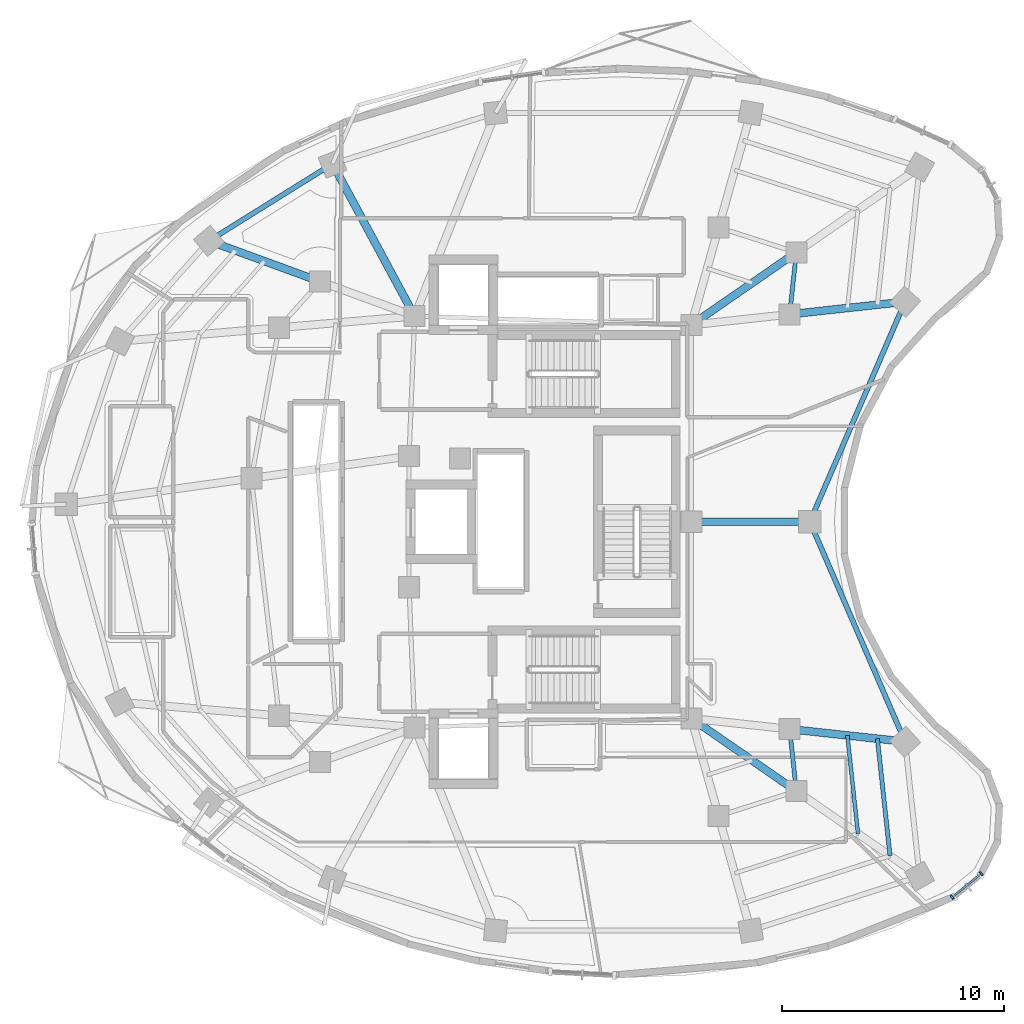
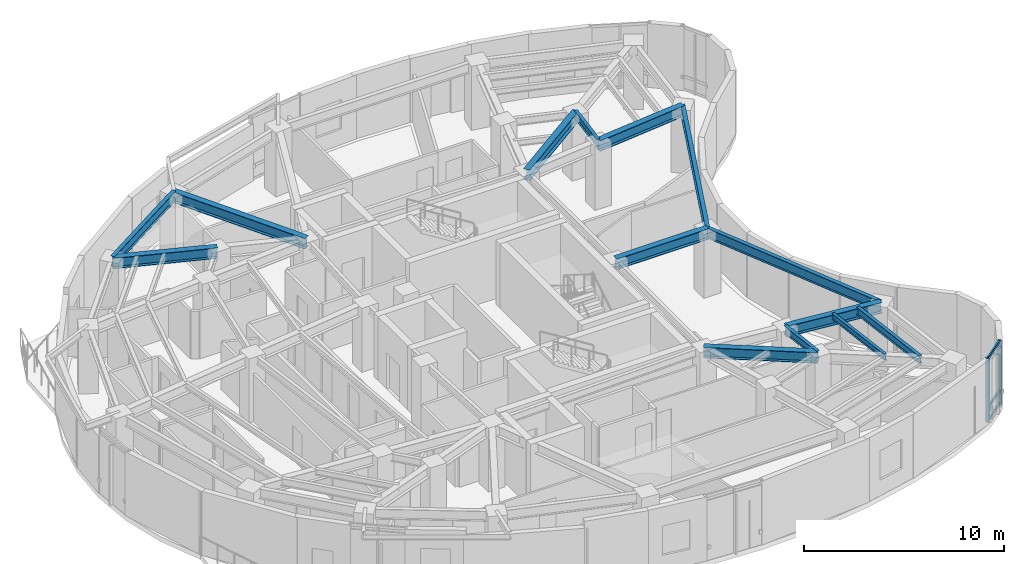
# One storey, part 4 of 13: 14 beams, 5 members, 1 element without a shape of its own.
"""IFC4 building model written with IfcOpenShell, lengths in metres."""

from ifc_helpers import new_model, si_unit, direction, frame, origin, origin_2d, place, context, subcontext, project, spatial, rectangle, i_section, extrude, material, layer, layer_set, material_profile, profile_set, type_object, element, aggregate, save


model = new_model("IFC4")

# Units and contexts
model_context = context("Model", 3, precision=1e-05, world=origin(), true_north=direction((0.0, 1.0)))
body_context = subcontext(model_context, "Body", "Model", "MODEL_VIEW")
ifc_project = project(units=[si_unit("LENGTHUNIT", "METRE"), si_unit("AREAUNIT", "SQUARE_METRE"), si_unit("VOLUMEUNIT", "CUBIC_METRE"), si_unit("PLANEANGLEUNIT", "RADIAN"), si_unit("MASSUNIT", "GRAM", prefix="KILO")], contexts=[model_context])

# Site, building, storey
site_placement = place(None, origin())
site = spatial("IfcSite", under=ifc_project, at=site_placement, CompositionType="ELEMENT")
building_placement = place(site_placement, origin())
building = spatial("IfcBuilding", under=site, at=building_placement, Name="Korentha Bioscience Tower", CompositionType="ELEMENT")
storey_placement = place(building_placement, frame((0.0, 0.0, 183.60009765625)))
storey = spatial("IfcBuildingStorey", under=building, at=storey_placement, Name="L42", CompositionType="ELEMENT", Elevation=183.60009765625)

# Beams
ifc_material_1 = material(Name="Steel S355", Category="steel")
ifc_material_profile_1 = material_profile(ifc_material_1, i_section(OverallWidth=0.18994140625, OverallDepth=0.45703125, WebThickness=0.009033203125, FlangeThickness=0.014404296875, at=origin_2d()), Name="Steel S355")
ifc_profile_set_1 = profile_set([ifc_material_profile_1], Name="Steel S355 (MB-460)")
beam_type_1 = type_object("IfcBeamType", Name="Mid-Ring Tie Girder W460x74", PredefinedType="BEAM", material=ifc_profile_set_1)
for number, where, z_axis, x_axis, name in (
    (1, (42.274658203125, 14.8828125, 3.67138671875), (-0.107283940056, 0.99422842255, 0.0), (-0.99422842255, -0.107283940056, 0.0), "L42 Mid-Ring Tie Girder 13"),
    (2, (41.97412109375, 36.33203125, 3.67138671875), (0.107283940056, 0.99422842255, 0.0), (-0.99422842255, 0.107283940056, 0.0), "L42 Mid-Ring Tie Girder 16"),
):
    element("IfcBeam", number, at=place(storey_placement, frame(where, z_axis=z_axis, x_axis=x_axis)), inside=storey, type_object=beam_type_1, Name=name, PredefinedType="BEAM", context=body_context, shape_type="SweptSolid", body=[
        extrude(i_section(OverallWidth=0.18994140625, OverallDepth=0.45703125, WebThickness=0.009033203125, FlangeThickness=0.014404296875, at=origin_2d()), origin(), (0.0, 0.0, 1.0), 2.80126953125),
    ])

# Curtain wall, members
ifc_material_2 = material(Name="Thermally Broken Aluminium Frame", Category="aluminium")
ifc_layer = layer(ifc_material_2, 0.219970703125, Name="Thermally Broken Aluminium Frame")
ifc_layer_set = layer_set([ifc_layer], Name="Thermally Broken Aluminium Frame (CW-T2)")
curtain_wall_type = type_object("IfcCurtainWallType", Name="Solar-Screened Lab Unitised Curtain Wall CW-T2", PredefinedType="USERDEFINED", material=ifc_layer_set)
curtain_wall_placement = place(storey_placement, origin())
curtain_wall = element("IfcCurtainWall", 3, at=curtain_wall_placement, inside=storey, type_object=curtain_wall_type, Name="L42 Curtain Wall 37", ObjectType="UNITISED", PredefinedType="USERDEFINED")
ifc_material_3 = material(Name="Anodised Aluminium 6063-T6", Category="aluminium")
ifc_material_profile_2 = material_profile(ifc_material_3, rectangle(XDim=0.090087890625, YDim=0.199951171875, at=origin_2d()), Name="Anodised Aluminium 6063-T6")
ifc_profile_set_2 = profile_set([ifc_material_profile_2], Name="Anodised Aluminium 6063-T6 (CW-MUL)")
member_type_1 = type_object("IfcMemberType", Name="Mullion RECT 90x200", PredefinedType="MULLION", material=ifc_profile_set_2)
member_1_placement = place(storey_placement, frame((49.28759765625, 10.105224609375, 0.0), z_axis=(0.0, 0.0, 1.0), x_axis=(0.77425646139, 0.632871971251, 0.0)))
member_1 = element("IfcMember", 4, at=member_1_placement, type_object=member_type_1, Name="CW-L42-37 Mullion 1", PredefinedType="MULLION", context=body_context, shape_type="SweptSolid", body=[
    extrude(rectangle(XDim=0.090087890625, YDim=0.199951171875, at=origin_2d()), origin(), (0.0, 0.0, 1.0), 3.89990234375),
])
member_2_placement = place(storey_placement, frame((50.58984375, 11.169677734375, 0.0), z_axis=(0.0, 0.0, 1.0), x_axis=(0.77425646139, 0.632871971251, 0.0)))
member_2 = element("IfcMember", 5, at=member_2_placement, type_object=member_type_1, Name="CW-L42-37 Mullion 2", PredefinedType="MULLION", context=body_context, shape_type="SweptSolid", body=[
    extrude(rectangle(XDim=0.090087890625, YDim=0.199951171875, at=origin_2d()), origin(), (0.0, 0.0, 1.0), 3.89990234375),
])

# Beams
ifc_material_profile_3 = material_profile(ifc_material_1, i_section(OverallWidth=0.22802734375, OverallDepth=0.60791015625, WebThickness=0.01123046875, FlangeThickness=0.017333984375, at=origin_2d()), Name="Steel S355")
ifc_profile_set_3 = profile_set([ifc_material_profile_3], Name="Steel S355 (SB-610)")
beam_type_2 = type_object("IfcBeamType", Name="Perimeter Ring Spandrel Girder W610x113", PredefinedType="SPANDREL", material=ifc_profile_set_3)
beam_1_placement = place(storey_placement, frame((21.405517578125, 43.102783203125, 3.595947265625), z_axis=(-0.848675740059, -0.528913497876, 0.0), x_axis=(0.528913497876, -0.848675740059, 0.0)))
element("IfcBeam", 6, at=beam_1_placement, inside=storey, type_object=beam_type_2, Name="L42 Perimeter Spandrel Girder 04", PredefinedType="SPANDREL", context=body_context, shape_type="SweptSolid", body=[
    extrude(i_section(OverallWidth=0.22802734375, OverallDepth=0.60791015625, WebThickness=0.01123046875, FlangeThickness=0.017333984375, at=origin_2d()), origin(), (0.0, 0.0, 1.0), 6.55322265625),
])
for number, where, z_axis, x_axis, name in (
    (7, (47.16748046875, 17.10205078125, 3.595947265625), (-0.397336815315, 0.917672847585, 0.0), (-0.917672847585, -0.397336815315, 0.0), "L42 Perimeter Spandrel Girder 14"),
    (8, (42.8818359375, 27.0, 3.595947265625), (0.397336815315, 0.917672847585, 0.0), (-0.917672847585, 0.397336815315, 0.0), "L42 Perimeter Spandrel Girder 15"),
):
    element("IfcBeam", number, at=place(storey_placement, frame(where, z_axis=z_axis, x_axis=x_axis)), inside=storey, type_object=beam_type_2, Name=name, PredefinedType="SPANDREL", context=body_context, shape_type="SweptSolid", body=[
        extrude(i_section(OverallWidth=0.22802734375, OverallDepth=0.60791015625, WebThickness=0.01123046875, FlangeThickness=0.017333984375, at=origin_2d()), origin(), (0.0, 0.0, 1.0), 10.785888671875),
    ])
ifc_material_profile_4 = material_profile(ifc_material_1, i_section(OverallWidth=0.18994140625, OverallDepth=0.45703125, WebThickness=0.009033203125, FlangeThickness=0.014404296875, at=origin_2d()), Name="Steel S355")
ifc_profile_set_4 = profile_set([ifc_material_profile_4], Name="Steel S355 (RB-460)")
beam_type_3 = type_object("IfcBeamType", Name="Radial Laboratory Beam W460x74", PredefinedType="BEAM", material=ifc_profile_set_4)
beam_2_placement = place(storey_placement, frame((46.489990234375, 11.968017578125, 3.67138671875), z_axis=(-0.107321875607, 0.994224328316, 0.0), x_axis=(-0.994224328316, -0.107321875607, 0.0)))
element("IfcBeam", 9, at=beam_2_placement, inside=storey, type_object=beam_type_3, Name="L42 Secondary Floor Beam JSTO-13", PredefinedType="BEAM", context=body_context, shape_type="SweptSolid", body=[
    extrude(i_section(OverallWidth=0.18994140625, OverallDepth=0.45703125, WebThickness=0.009033203125, FlangeThickness=0.014404296875, at=origin_2d()), origin(), (0.0, 0.0, 1.0), 5.30029296875),
])
ifc_material_profile_5 = material_profile(ifc_material_1, i_section(OverallWidth=0.35009765625, OverallDepth=0.64990234375, WebThickness=0.01611328125, FlangeThickness=0.02490234375, at=origin_2d()), Name="Steel S355")
ifc_profile_set_5 = profile_set([ifc_material_profile_5], Name="Steel S355 (RB-650)")
beam_type_4 = type_object("IfcBeamType", Name="Radial Laboratory Girder CVS 650x208", PredefinedType="BEAM", material=ifc_profile_set_5)
beam_3_placement = place(storey_placement, frame((37.550048828125, 35.85009765625, 3.574951171875), z_axis=(0.822501145898, 0.568763452584, 0.0), x_axis=(-0.568763452584, 0.822501145898, 0.0)))
element("IfcBeam", 10, at=beam_3_placement, inside=storey, type_object=beam_type_4, Name="L42 Inner Radial Girder 01", PredefinedType="BEAM", context=body_context, shape_type="SweptSolid", body=[
    extrude(i_section(OverallWidth=0.35009765625, OverallDepth=0.64990234375, WebThickness=0.01611328125, FlangeThickness=0.02490234375, at=origin_2d()), origin(), (0.0, 0.0, 1.0), 5.744140625),
])
beam_4_placement = place(storey_placement, frame((25.10009765625, 36.25, 3.574951171875), z_axis=(-0.474559790141, 0.880223270302, 0.0), x_axis=(-0.880223270302, -0.474559790141, 0.0)))
element("IfcBeam", 11, at=beam_4_placement, inside=storey, type_object=beam_type_4, Name="L42 Radial Girder 04", PredefinedType="BEAM", context=body_context, shape_type="SweptSolid", body=[
    extrude(i_section(OverallWidth=0.35009765625, OverallDepth=0.64990234375, WebThickness=0.01611328125, FlangeThickness=0.02490234375, at=origin_2d()), origin(), (0.0, 0.0, 1.0), 7.785400390625),
])
beam_5_placement = place(storey_placement, frame((20.84228515625, 37.807861328125, 3.574951171875), z_axis=(-0.939109855566, 0.343617053097, 0.0), x_axis=(-0.343617053097, -0.939109855566, 0.0)))
element("IfcBeam", 12, at=beam_5_placement, inside=storey, type_object=beam_type_4, Name="L42 Outer Radial Girder 05", PredefinedType="BEAM", context=body_context, shape_type="SweptSolid", body=[
    extrude(i_section(OverallWidth=0.35009765625, OverallDepth=0.64990234375, WebThickness=0.01611328125, FlangeThickness=0.02490234375, at=origin_2d()), origin(), (0.0, 0.0, 1.0), 5.322265625),
])
beam_6_placement = place(storey_placement, frame((37.550048828125, 18.14990234375, 3.574951171875), z_axis=(0.822501145898, -0.568763452584, 0.0), x_axis=(0.568763452584, 0.822501145898, 0.0)))
element("IfcBeam", 13, at=beam_6_placement, inside=storey, type_object=beam_type_4, Name="L42 Inner Radial Girder 13", PredefinedType="BEAM", context=body_context, shape_type="SweptSolid", body=[
    extrude(i_section(OverallWidth=0.35009765625, OverallDepth=0.64990234375, WebThickness=0.01611328125, FlangeThickness=0.02490234375, at=origin_2d()), origin(), (0.0, 0.0, 1.0), 5.744140625),
])
beam_7_placement = place(storey_placement, frame((41.97412109375, 17.66796875, 3.574951171875), z_axis=(0.994115177281, -0.108328271011, 0.0), x_axis=(0.108328271011, 0.994115177281, 0.0)))
element("IfcBeam", 14, at=beam_7_placement, inside=storey, type_object=beam_type_4, Name="L42 Outer Radial Girder 14", PredefinedType="BEAM", context=body_context, shape_type="SweptSolid", body=[
    extrude(i_section(OverallWidth=0.35009765625, OverallDepth=0.64990234375, WebThickness=0.01611328125, FlangeThickness=0.02490234375, at=origin_2d()), origin(), (0.0, 0.0, 1.0), 5.22412109375),
])
beam_8_placement = place(storey_placement, frame((37.550048828125, 27.0, 3.574951171875), z_axis=(1.0, 0.0, 0.0), x_axis=(0.0, 1.0, 0.0)))
element("IfcBeam", 15, at=beam_8_placement, inside=storey, type_object=beam_type_4, Name="L42 Radial Girder 15", PredefinedType="BEAM", context=body_context, shape_type="SweptSolid", body=[
    extrude(i_section(OverallWidth=0.35009765625, OverallDepth=0.64990234375, WebThickness=0.01611328125, FlangeThickness=0.02490234375, at=origin_2d()), origin(), (0.0, 0.0, 1.0), 5.331787109375),
])
beam_9_placement = place(storey_placement, frame((41.97412109375, 36.33203125, 3.574951171875), z_axis=(0.994115177281, 0.108328271011, 0.0), x_axis=(-0.108328271011, 0.994115177281, 0.0)))
element("IfcBeam", 16, at=beam_9_placement, inside=storey, type_object=beam_type_4, Name="L42 Outer Radial Girder 16", PredefinedType="BEAM", context=body_context, shape_type="SweptSolid", body=[
    extrude(i_section(OverallWidth=0.35009765625, OverallDepth=0.64990234375, WebThickness=0.01611328125, FlangeThickness=0.02490234375, at=origin_2d()), origin(), (0.0, 0.0, 1.0), 5.22412109375),
])
ifc_material_profile_6 = material_profile(ifc_material_1, i_section(OverallWidth=0.1708984375, OverallDepth=0.35498046875, WebThickness=0.007080078125, FlangeThickness=0.01171875, at=origin_2d()), Name="Steel S355")
ifc_profile_set_6 = profile_set([ifc_material_profile_6], Name="Steel S355 (JB-360)")
beam_type_5 = type_object("IfcBeamType", Name="Secondary Laboratory Joist W360x51", PredefinedType="JOIST", material=ifc_profile_set_6)
beam_10_placement = place(storey_placement, frame((45.0478515625, 12.965087890625, 3.722412109375), z_axis=(-0.107308722475, 0.994225748048, 0.0), x_axis=(-0.994225748048, -0.107308722475, 0.0)))
element("IfcBeam", 17, at=beam_10_placement, inside=storey, type_object=beam_type_5, Name="L42 Secondary Floor Beam JST-13", PredefinedType="JOIST", context=body_context, shape_type="SweptSolid", body=[
    extrude(i_section(OverallWidth=0.1708984375, OverallDepth=0.35498046875, WebThickness=0.007080078125, FlangeThickness=0.01171875, at=origin_2d()), origin(), (0.0, 0.0, 1.0), 4.445556640625),
])

# Member
ifc_material_profile_7 = material_profile(ifc_material_3, rectangle(XDim=0.090087890625, YDim=0.159912109375, at=origin_2d()), Name="Anodised Aluminium 6063-T6")
ifc_profile_set_7 = profile_set([ifc_material_profile_7], Name="Anodised Aluminium 6063-T6 (CW-TRN)")
member_type_2 = type_object("IfcMemberType", Name="Transom RECT 90x160", PredefinedType="USERDEFINED", material=ifc_profile_set_7)
member_3_placement = place(storey_placement, frame((49.322509765625, 10.1337890625, 0.044921875), z_axis=(0.77427156069, 0.632853498297, 0.0), x_axis=(-0.632853498297, 0.77427156069, 0.0)))
member_3 = element("IfcMember", 18, at=member_3_placement, type_object=member_type_2, Name="CW-L42-37 Bay 1 Transom 1", ObjectType="TRANSOM", PredefinedType="USERDEFINED", context=body_context, shape_type="SweptSolid", body=[
    extrude(rectangle(XDim=0.090087890625, YDim=0.159912109375, at=origin_2d()), origin(), (0.0, 0.0, 1.0), 1.591796875),
])

member_4_placement = place(storey_placement, frame((49.322509765625, 10.1337890625, 0.849853515625), z_axis=(0.77427156069, 0.632853498297, 0.0), x_axis=(-0.632853498297, 0.77427156069, 0.0)))
member_4 = element("IfcMember", 19, at=member_4_placement, type_object=member_type_2, Name="CW-L42-37 Bay 1 Transom 2", ObjectType="TRANSOM", PredefinedType="USERDEFINED", context=body_context, shape_type="SweptSolid", body=[
    extrude(rectangle(XDim=0.090087890625, YDim=0.159912109375, at=origin_2d()), origin(), (0.0, 0.0, 1.0), 1.591796875),
])

member_5_placement = place(storey_placement, frame((49.322509765625, 10.1337890625, 3.85498046875), z_axis=(0.77427156069, 0.632853498297, 0.0), x_axis=(-0.632853498297, 0.77427156069, 0.0)))
member_5 = element("IfcMember", 20, at=member_5_placement, type_object=member_type_2, Name="CW-L42-37 Bay 1 Transom 3", ObjectType="TRANSOM", PredefinedType="USERDEFINED", context=body_context, shape_type="SweptSolid", body=[
    extrude(rectangle(XDim=0.090087890625, YDim=0.159912109375, at=origin_2d()), origin(), (0.0, 0.0, 1.0), 1.591796875),
])

aggregate(curtain_wall, [member_1, member_2, member_3, member_4, member_5])

save(model, "model.ifc")
